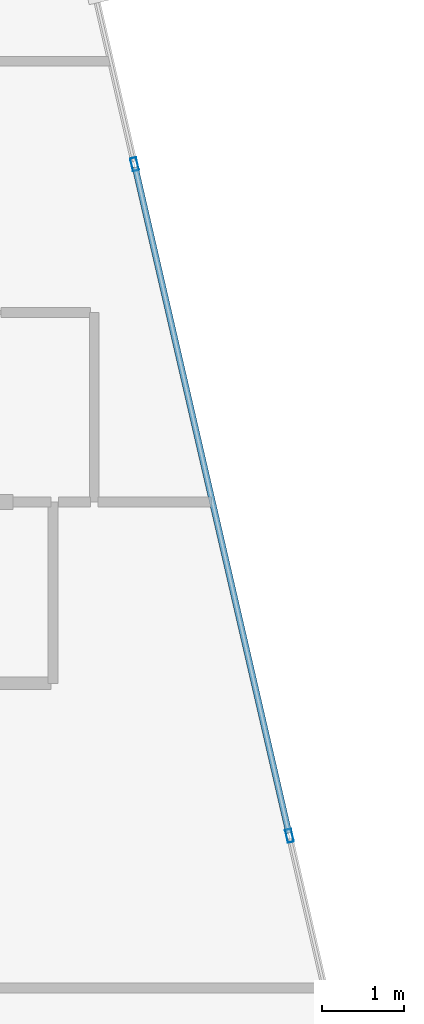
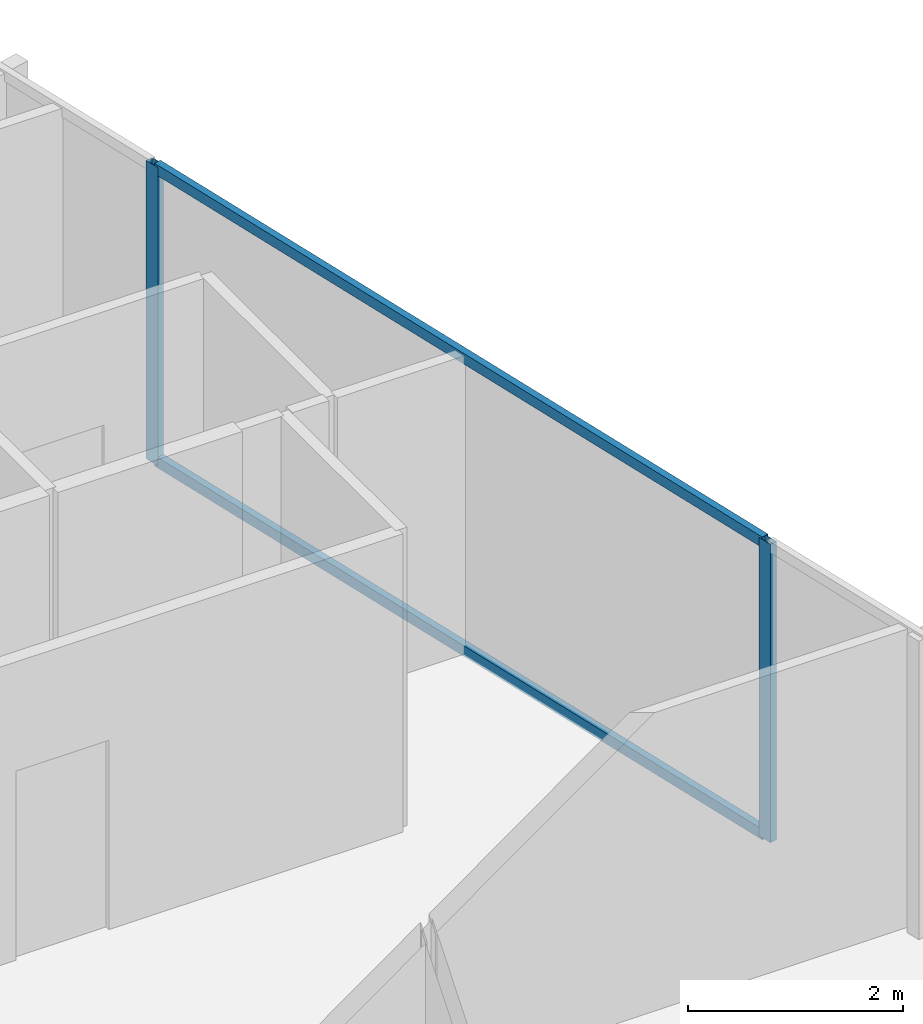
# One storey, part 20 of 29: 4 members, 1 element without a shape of its own.
"""IFC4 building model written with IfcOpenShell, lengths in metres."""

import ifcopenshell
import ifcopenshell.guid

model = None  # the IFC model being written
_history = None  # IfcOwnerHistory: only IFC2X3 demands one
_inside = {}  # id of a spatial element -> (the spatial element, [elements in it])
_under = {}  # id of a project, library or spatial element -> (it, [spatial elements below it])
_declared = {}  # id of a project -> (the project, [libraries it declares])
_typed = {}  # id of a type object -> (the type object, [elements of that type])
_made_of = {}  # id of a material, layer set ... -> (it, [elements and type objects made of it])


def new_model(schema):
    """Start an empty IFC model of exactly this schema.

    Asked for "IFC4X3", IfcOpenShell would pick the latest addendum, in which some entities
    have other attributes; the version numbers below select the first issue.
    IFC2X3 requires an IfcOwnerHistory on every rooted entity: one is made here for all.
    """
    global model, _history
    if schema == "IFC4X3":
        model = ifcopenshell.file(schema_version=(4, 3, 0, 0))
    else:
        model = ifcopenshell.file(schema=schema)
    _inside.clear()
    _under.clear()
    _declared.clear()
    _typed.clear()
    _made_of.clear()
    _history = None
    if model.schema == "IFC2X3":
        org = make("IfcOrganization", Name="unknown")
        user = make(
            "IfcPersonAndOrganization",
            ThePerson=make("IfcPerson", FamilyName="unknown"),
            TheOrganization=org,
        )
        app = make(
            "IfcApplication",
            ApplicationDeveloper=org,
            Version="unknown",
            ApplicationFullName="unknown",
            ApplicationIdentifier="unknown",
        )
        _history = make(
            "IfcOwnerHistory",
            OwningUser=user,
            OwningApplication=app,
            ChangeAction="ADDED",
            CreationDate=0,
        )
    return model


def make(cls, **values):
    """One entity of the class cls with the attributes given. An attribute that is None is left unset."""
    return model.create_entity(
        cls, **{name: value for name, value in values.items() if value is not None}
    )


def rooted(cls, **values):
    """An entity with a GlobalId (a new one), such as an element, a storey or a relation."""
    return make(cls, GlobalId=ifcopenshell.guid.new(), OwnerHistory=_history, **values)


def si_unit(unit_type, name, prefix=None):
    """IfcSIUnit, for example si_unit("LENGTHUNIT", "METRE", prefix="MILLI")."""
    return make("IfcSIUnit", UnitType=unit_type, Prefix=prefix, Name=name)


def assignment(units):
    """IfcUnitAssignment: the units of a project."""
    return None if units is None else make("IfcUnitAssignment", Units=units)


def point(xyz):
    """IfcCartesianPoint."""
    return None if xyz is None else make("IfcCartesianPoint", Coordinates=xyz)


def direction(xyz):
    """IfcDirection."""
    return None if xyz is None else make("IfcDirection", DirectionRatios=xyz)


def frame(location, z_axis=None, x_axis=None):
    """IfcAxis2Placement3D, a coordinate frame: its origin and axes. An axis left out is left unset."""
    return make(
        "IfcAxis2Placement3D",
        Location=point(location),
        Axis=direction(z_axis),
        RefDirection=direction(x_axis),
    )


def frame_2d(location, x_axis=None):
    """IfcAxis2Placement2D, a coordinate frame in the plane: its origin and x axis."""
    return make(
        "IfcAxis2Placement2D", Location=point(location), RefDirection=direction(x_axis)
    )


def origin():
    """The frame at (0, 0, 0) with its axes left unset."""
    return frame((0.0, 0.0, 0.0))


def origin_2d():
    """The frame at (0, 0) in the plane with its x axis left unset."""
    return frame_2d((0.0, 0.0))


def place(relative_to, where):
    """IfcLocalPlacement: puts the frame where relative to a parent placement (None: the world)."""
    return make(
        "IfcLocalPlacement", PlacementRelTo=relative_to, RelativePlacement=where
    )


def context(
    kind, dimensions, precision=None, world=None, true_north=None, identifier=None
):
    """IfcGeometricRepresentationContext, for example the 3D "Model" context."""
    return make(
        "IfcGeometricRepresentationContext",
        ContextIdentifier=identifier,
        ContextType=kind,
        CoordinateSpaceDimension=dimensions,
        Precision=precision,
        WorldCoordinateSystem=world,
        TrueNorth=true_north,
    )


def subcontext(parent, identifier, kind, view, scale=None):
    """IfcGeometricRepresentationSubContext, for example "Body" below "Model"."""
    return make(
        "IfcGeometricRepresentationSubContext",
        ContextIdentifier=identifier,
        ContextType=kind,
        ParentContext=parent,
        TargetScale=scale,
        TargetView=view,
    )


def project(units=None, contexts=None):
    """IfcProject with its units and contexts."""
    return rooted(
        "IfcProject",
        Name="project",
        RepresentationContexts=contexts,
        UnitsInContext=assignment(units),
    )


def spatial(cls, under=None, at=None, **own):
    """A site, building, storey or space (cls), placed at a placement, below another one or the project."""
    s = rooted(cls, ObjectPlacement=at, **own)
    if under is not None:
        _under.setdefault(under.id(), (under, []))[1].append(s)
    return s


def profile(cls, at=None, kind="AREA", **sizes):
    """A parametric profile (cls). Its sizes go by their IFC names, for example OverallWidth=200.0."""
    return make(cls, ProfileType=kind, Position=at, **sizes)


def hollow_rectangle(**sizes):
    """IfcRectangleHollowProfileDef."""
    return profile("IfcRectangleHollowProfileDef", **sizes)


def extrude(swept, where, along, depth):
    """IfcExtrudedAreaSolid: the profile swept, set in the frame where, extruded along a direction by depth."""
    return make(
        "IfcExtrudedAreaSolid",
        SweptArea=swept,
        Position=where,
        ExtrudedDirection=direction(along),
        Depth=depth,
    )


def shape(context_of_items, identifier, shape_type, items):
    """IfcShapeRepresentation: the items that make up one representation, for example the "Body"."""
    return make(
        "IfcShapeRepresentation",
        ContextOfItems=context_of_items,
        RepresentationIdentifier=identifier,
        RepresentationType=shape_type,
        Items=items,
    )


def material(Name=None, Category=None):
    """IfcMaterial."""
    return make("IfcMaterial", Name=Name, Category=Category)


def layer(
    of_material, thickness, ventilated=None, Name=None, Category=None, Priority=None
):
    """IfcMaterialLayer: one layer of a wall or slab, of a material (None: an air gap)."""
    return make(
        "IfcMaterialLayer",
        Material=of_material,
        LayerThickness=thickness,
        IsVentilated=ventilated,
        Name=Name,
        Category=Category,
        Priority=Priority,
    )


def layer_set(layers, Name=None):
    """IfcMaterialLayerSet."""
    return make("IfcMaterialLayerSet", MaterialLayers=layers, LayerSetName=Name)


def material_profile(
    of_material, cross_section, Name=None, Category=None, Priority=None
):
    """IfcMaterialProfile: a cross section and its material."""
    return make(
        "IfcMaterialProfile",
        Name=Name,
        Material=of_material,
        Profile=cross_section,
        Priority=Priority,
        Category=Category,
    )


def profile_set(profiles, Name=None, composite=None):
    """IfcMaterialProfileSet."""
    return make(
        "IfcMaterialProfileSet",
        Name=Name,
        MaterialProfiles=profiles,
        CompositeProfile=composite,
    )


def made_of(thing, what):
    """Note that an element or type object is made of a material, layer set ...; save() writes the relation."""
    if what is not None:
        _made_of.setdefault(what.id(), (what, []))[1].append(thing)
    return thing


def type_object(cls, material=None, **own):
    """A type object (cls), such as IfcWallType, which elements share."""
    return made_of(rooted(cls, **own), material)


def element(
    cls,
    number,
    at=None,
    inside=None,
    cuts=None,
    type_object=None,
    material=None,
    context=None,
    identifier="Body",
    shape_type=None,
    held_by="IfcProductDefinitionShape",
    body=None,
    shapes=None,
    **own,
):
    """One element of the class cls, such as IfcWall. Its Tag is "e" and its number.

    at: its placement. inside: the storey or other place that contains it. cuts: it is an
    opening in that element (IfcRelVoidsElement). A single representation is given by context,
    identifier, shape_type and body (its items); several are given by shapes. held_by: the class
    of the entity that holds the representations. save() writes the other relations.
    """
    e = rooted(cls, Tag="e%d" % number, ObjectPlacement=at, **own)
    if body is not None:
        shapes = [shape(context, identifier, shape_type, body)]
    if shapes is not None:
        e.Representation = make(held_by, Representations=shapes)
    if inside is not None:
        _inside.setdefault(inside.id(), (inside, []))[1].append(e)
    if cuts is not None:
        rooted(
            "IfcRelVoidsElement", RelatingBuildingElement=cuts, RelatedOpeningElement=e
        )
    if type_object is not None:
        _typed.setdefault(type_object.id(), (type_object, []))[1].append(e)
    return made_of(e, material)


def aggregate(whole, parts):
    """IfcRelAggregates: a whole, such as a stair, and the parts it consists of."""
    return rooted("IfcRelAggregates", RelatingObject=whole, RelatedObjects=parts)


def save(model, path):
    """Write the relations noted so far, then the file.

    IfcRelAggregates (storeys below a building ...), IfcRelContainedInSpatialStructure (elements
    in a storey), IfcRelDefinesByType, IfcRelAssociatesMaterial and IfcRelDeclares: one each for
    every whole, place, type object, material and project.
    """
    for whole, parts in _under.values():
        aggregate(whole, parts)
    for where, things in _inside.values():
        rooted(
            "IfcRelContainedInSpatialStructure",
            RelatedElements=things,
            RelatingStructure=where,
        )
    for kind, things in _typed.values():
        rooted("IfcRelDefinesByType", RelatedObjects=things, RelatingType=kind)
    for what, things in _made_of.values():
        rooted("IfcRelAssociatesMaterial", RelatedObjects=things, RelatingMaterial=what)
    for by, libraries in _declared.values():
        rooted("IfcRelDeclares", RelatingContext=by, RelatedDefinitions=libraries)
    model.write(path)


model = new_model("IFC4")

# Units and contexts
model_context = context("Model", 3, precision=1e-05, world=origin(), true_north=direction((0.0, 1.0)))
body_context = subcontext(model_context, "Body", "Model", "MODEL_VIEW")
ifc_project = project(units=[si_unit("LENGTHUNIT", "METRE"), si_unit("AREAUNIT", "SQUARE_METRE"), si_unit("VOLUMEUNIT", "CUBIC_METRE"), si_unit("PLANEANGLEUNIT", "RADIAN"), si_unit("MASSUNIT", "GRAM", prefix="KILO")], contexts=[model_context])

# Site, building, storey
site_placement = place(None, origin())
site = spatial("IfcSite", under=ifc_project, at=site_placement, CompositionType="ELEMENT")
building_placement = place(site_placement, origin())
building = spatial("IfcBuilding", under=site, at=building_placement, Name="Keshet Zoharim Tower", CompositionType="ELEMENT")
storey_placement = place(building_placement, frame((0.0, 0.0, 195.800048828125)))
storey = spatial("IfcBuildingStorey", under=building, at=storey_placement, Name="L48", CompositionType="ELEMENT", Elevation=195.800048828125)

# Curtain wall, members
ifc_material = material(Name="Aluminium 6063-T6", Category="aluminium")
ifc_layer = layer(ifc_material, 0.139892578125)
ifc_layer_set = layer_set([ifc_layer], Name="Aluminium 6063-T6")
curtain_wall_type = type_object("IfcCurtainWallType", Name="CW-SYS-05", PredefinedType="NOTDEFINED", material=ifc_layer_set)
curtain_wall_placement = place(storey_placement, origin())
curtain_wall = element("IfcCurtainWall", 1, at=curtain_wall_placement, inside=storey, type_object=curtain_wall_type, Name="L48 Unitised Curtain Wall 19", PredefinedType="NOTDEFINED")
ifc_material_profile_1 = material_profile(ifc_material, hollow_rectangle(XDim=0.074951171875, YDim=0.159912109375, WallThickness=0.00390625, at=origin_2d()), Name="MUL-75x160")
ifc_profile_set_1 = profile_set([ifc_material_profile_1], Name="Aluminium 6063-T6")
member_type_1 = type_object("IfcMemberType", Name="CWM-M15", PredefinedType="MULLION", material=ifc_profile_set_1)
member_1_placement = place(storey_placement, frame((41.23876953125, 44.199951171875, 0.0), z_axis=(0.0, 0.0, 1.0), x_axis=(0.974393882313, 0.224847864369, 0.0)))
member_1 = element("IfcMember", 2, at=member_1_placement, type_object=member_type_1, Name="CW-05 mullion 2", PredefinedType="MULLION", context=body_context, shape_type="SweptSolid", body=[
    extrude(hollow_rectangle(XDim=0.074951171875, YDim=0.159912109375, WallThickness=0.00390625, at=origin_2d()), origin(), (0.0, 0.0, 1.0), 3.389892578125),
])
member_2_placement = place(storey_placement, frame((43.119384765625, 36.050048828125, 0.0), z_axis=(0.0, 0.0, 1.0), x_axis=(0.974393882313, 0.224847864369, 0.0)))
member_2 = element("IfcMember", 3, at=member_2_placement, type_object=member_type_1, Name="CW-05 mullion 3", PredefinedType="MULLION", context=body_context, shape_type="SweptSolid", body=[
    extrude(hollow_rectangle(XDim=0.074951171875, YDim=0.159912109375, WallThickness=0.00390625, at=origin_2d()), origin(), (0.0, 0.0, 1.0), 3.389892578125),
])
ifc_material_profile_2 = material_profile(ifc_material, hollow_rectangle(XDim=0.074951171875, YDim=0.1201171875, WallThickness=0.00390625, at=origin_2d()), Name="TRN-75x120")
ifc_profile_set_2 = profile_set([ifc_material_profile_2], Name="Aluminium 6063-T6")
member_type_2 = type_object("IfcMemberType", Name="CWT-T12", PredefinedType="USERDEFINED", material=ifc_profile_set_2)
member_3_placement = place(storey_placement, frame((41.24658203125, 44.166015625, 0.034912109375), z_axis=(0.224848758198, -0.974393676055, 0.0), x_axis=(0.974393676055, 0.224848758198, 0.0)))
member_3 = element("IfcMember", 4, at=member_3_placement, type_object=member_type_2, Name="CW-05 transom 2.1", ObjectType="TRANSOM", PredefinedType="USERDEFINED", context=body_context, shape_type="SweptSolid", body=[
    extrude(hollow_rectangle(XDim=0.074951171875, YDim=0.1201171875, WallThickness=0.00390625, at=origin_2d()), origin(), (0.0, 0.0, 1.0), 8.29443359375),
])
member_4_placement = place(storey_placement, frame((41.24658203125, 44.166015625, 3.35498046875), z_axis=(0.224848758198, -0.974393676055, 0.0), x_axis=(0.974393676055, 0.224848758198, 0.0)))
member_4 = element("IfcMember", 5, at=member_4_placement, type_object=member_type_2, Name="CW-05 transom 2.2", ObjectType="TRANSOM", PredefinedType="USERDEFINED", context=body_context, shape_type="SweptSolid", body=[
    extrude(hollow_rectangle(XDim=0.074951171875, YDim=0.1201171875, WallThickness=0.00390625, at=origin_2d()), origin(), (0.0, 0.0, 1.0), 8.29443359375),
])
aggregate(curtain_wall, [member_1, member_2, member_3, member_4])

save(model, "model.ifc")
